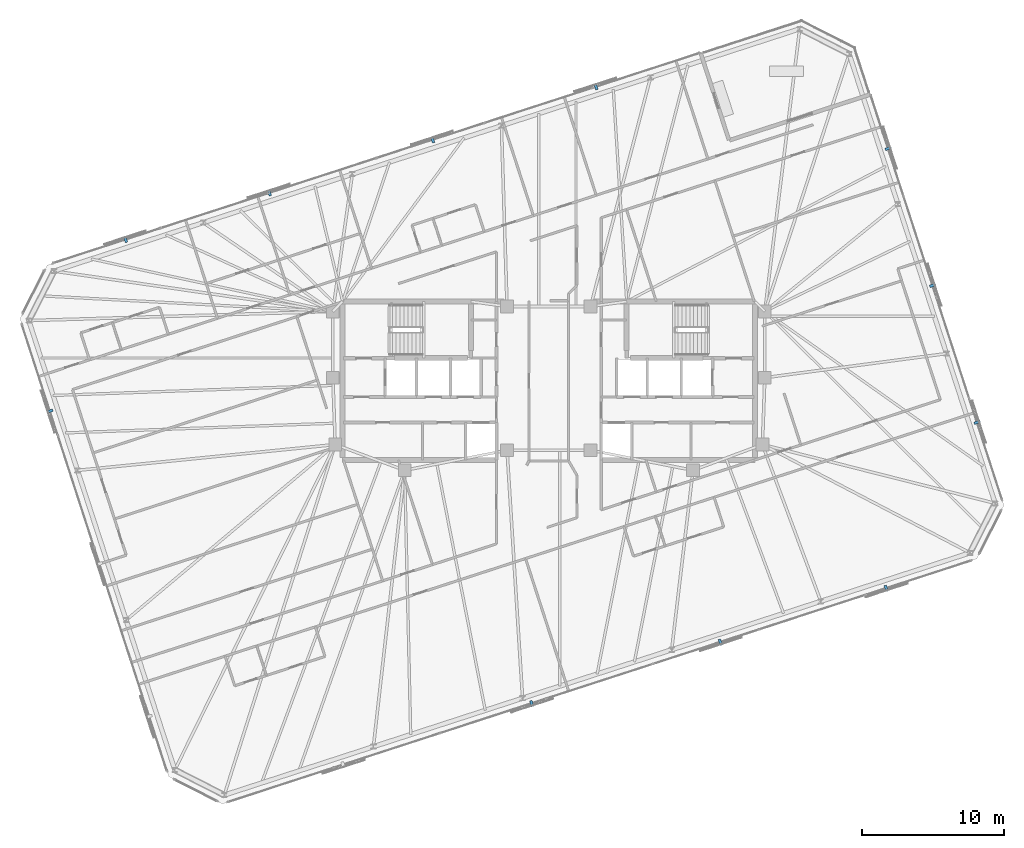
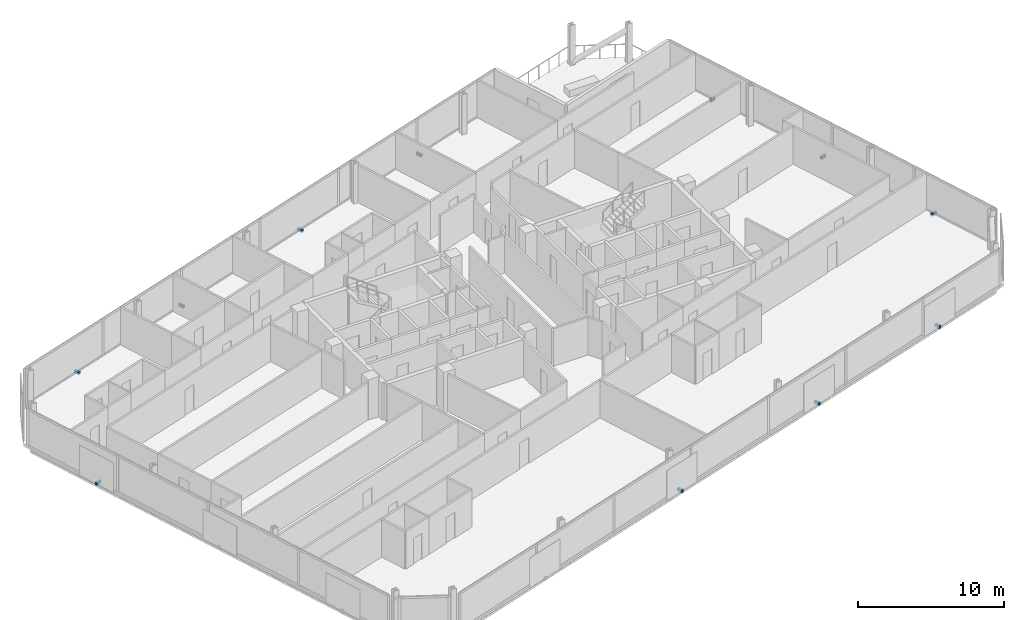
# One storey, part 18 of 19: 11 discrete accessories.
"""IFC4 building model written with IfcOpenShell, lengths in metres."""

from ifc_helpers import new_model, si_unit, direction, frame, origin, origin_2d, place, context, subcontext, project, spatial, rectangle, extrude, material, type_object, element, save


model = new_model("IFC4")

# Units and contexts
model_context = context("Model", 3, precision=1e-05, world=origin(), true_north=direction((0.0, 1.0)))
body_context = subcontext(model_context, "Body", "Model", "MODEL_VIEW")
ifc_project = project(units=[si_unit("LENGTHUNIT", "METRE"), si_unit("AREAUNIT", "SQUARE_METRE"), si_unit("VOLUMEUNIT", "CUBIC_METRE"), si_unit("PLANEANGLEUNIT", "RADIAN"), si_unit("MASSUNIT", "GRAM", prefix="KILO")], contexts=[model_context])

# Site, building, storey
site_placement = place(None, origin())
site = spatial("IfcSite", under=ifc_project, at=site_placement, CompositionType="ELEMENT")
building_placement = place(site_placement, origin())
building = spatial("IfcBuilding", under=site, at=building_placement, Name="Menara Jurai Vektor", CompositionType="ELEMENT")
storey_placement = place(building_placement, frame((0.0, 0.0, 231.0)))
storey = spatial("IfcBuildingStorey", under=building, at=storey_placement, Name="L61", CompositionType="ELEMENT", Elevation=231.0)

# Discrete accessories
ifc_material = material(Name="Steel S355", Category="steel")
discrete_accessory_type = type_object("IfcDiscreteAccessoryType", Name="ENV-ACC-BRACKET", PredefinedType="BRACKET", material=ifc_material)
for number, where, z_axis, x_axis, name in (
    (1, (3.3330078125, 20.767578125, -0.1298828125), (0.0, 0.0, 1.0), (-0.951056516295, -0.309016994375, 0.0), "Solar Screen Stand-Off Bracket L61-S01"),
    (2, (-8.198486328125, 17.020751953125, -0.1298828125), (0.0, 0.0, 1.0), (-0.951056516295, -0.309016994375, 0.0), "Solar Screen Stand-Off Bracket L61-S02"),
    (3, (-19.72998046875, 13.27392578125, -0.1298828125), (0.0, 0.0, 1.0), (-0.951056516295, -0.309016994375, 0.0), "Solar Screen Stand-Off Bracket L61-S03"),
    (4, (-29.877685546875, 9.976806640625, -0.1298828125), (0.0, 0.0, 1.0), (-0.951056516295, -0.309016994375, 0.0), "Solar Screen Stand-Off Bracket L61-S04"),
    (5, (-35.226806640625, -2.1357421875, -0.1298828125), (0.0, 0.0, 1.0), (0.309016994375, -0.951056516295, 0.0), "Solar Screen Stand-Off Bracket L61-S05"),
    (6, (-1.2099609375, -22.7880859375, -0.1298828125), (0.0, 0.0, 1.0), (0.951056516295, 0.309016994375, 0.0), "Solar Screen Stand-Off Bracket L61-S09"),
    (7, (12.10498046875, -18.4619140625, -0.1298828125), (0.0, 0.0, 1.0), (0.951056516295, 0.309016994375, 0.0), "Solar Screen Stand-Off Bracket L61-S10"),
    (8, (23.822021484375, -14.65478515625, -0.1298828125), (0.0, 0.0, 1.0), (0.951056516295, 0.309016994375, 0.0), "Solar Screen Stand-Off Bracket L61-S11"),
    (9, (30.244873046875, -2.935546875, -0.1298828125), (0.0, 0.0, 1.0), (-0.309016994375, 0.951056516295, 0.0), "Solar Screen Stand-Off Bracket L61-S12"),
    (10, (27.10302734375, 6.7333984375, -0.1298828125), (0.0, 0.0, 1.0), (-0.309016994375, 0.951056516295, 0.0), "Solar Screen Stand-Off Bracket L61-S13"),
    (11, (23.96142578125, 16.402587890625, -0.1298828125), (0.0, 0.0, 1.0), (-0.309016994375, 0.951056516295, 0.0), "Solar Screen Stand-Off Bracket L61-S14"),
):
    element("IfcDiscreteAccessory", number, at=place(storey_placement, frame(where, z_axis=z_axis, x_axis=x_axis)), inside=storey, type_object=discrete_accessory_type, Name=name, PredefinedType="BRACKET", context=body_context, shape_type="SweptSolid", body=[
        extrude(rectangle(XDim=0.179931640625, YDim=0.43994140625, at=origin_2d()), origin(), (0.0, 0.0, 1.0), 0.219970703125),
    ])

save(model, "model.ifc")
